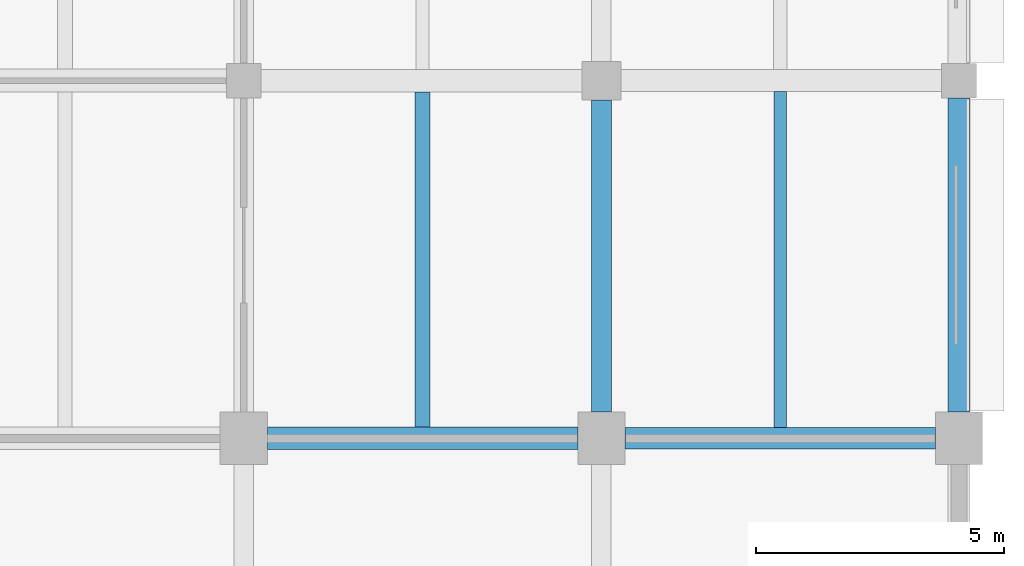
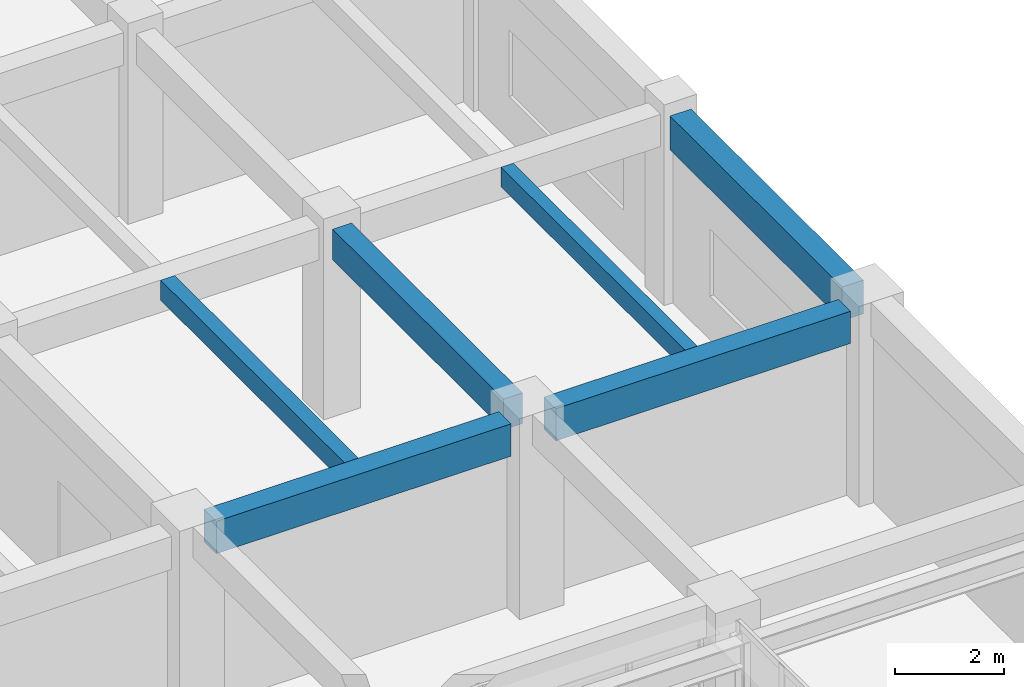
# One storey, part 104 of 171: 6 beams.
"""IFC4 building model written with IfcOpenShell, lengths in metres."""

from ifc_helpers import new_model, si_unit, direction, frame, origin, origin_2d, place, context, subcontext, project, spatial, rectangle, extrude, material, material_profile, profile_set, type_object, element, save


model = new_model("IFC4")

# Units and contexts
model_context = context("Model", 3, precision=1e-05, world=origin(), true_north=direction((0.0, 1.0)))
body_context = subcontext(model_context, "Body", "Model", "MODEL_VIEW")
ifc_project = project(units=[si_unit("LENGTHUNIT", "METRE"), si_unit("AREAUNIT", "SQUARE_METRE"), si_unit("VOLUMEUNIT", "CUBIC_METRE"), si_unit("PLANEANGLEUNIT", "RADIAN"), si_unit("MASSUNIT", "GRAM", prefix="KILO")], contexts=[model_context])

# Site, building, storey
site_placement = place(None, origin())
site = spatial("IfcSite", under=ifc_project, at=site_placement, CompositionType="ELEMENT")
building_placement = place(site_placement, origin())
building = spatial("IfcBuilding", under=site, at=building_placement, Name="Thalmaran Polytechnic", CompositionType="ELEMENT")
storey_placement = place(building_placement, frame((0.0, 0.0, 5.39990234375)))
storey = spatial("IfcBuildingStorey", under=building, at=storey_placement, Name="L01", CompositionType="ELEMENT", Elevation=5.39990234375)

# Beams
ifc_material = material(Name="Concrete C40/50", Category="concrete")
ifc_material_profile_1 = material_profile(ifc_material, rectangle(XDim=0.449951171875, YDim=0.72509765625, at=origin_2d()), Name="RC 450x725")
ifc_profile_set_1 = profile_set([ifc_material_profile_1], Name="Concrete C40/50")
beam_type_1 = type_object("IfcBeamType", Name="BM-RC04", PredefinedType="BEAM", material=ifc_profile_set_1)
beam_1_placement = place(storey_placement, frame((158.875, 57.60009765625, 3.84765625), z_axis=(1.0, 0.0, 0.0), x_axis=(0.0, 1.0, 0.0)))
element("IfcBeam", 1, at=beam_1_placement, inside=storey, type_object=beam_type_1, Name="Grid Beam B04 L01 X(22,8)", PredefinedType="BEAM", context=body_context, shape_type="SweptSolid", body=[
    extrude(rectangle(XDim=0.449951171875, YDim=0.72509765625, at=origin_2d()), origin(), (0.0, 0.0, 1.0), 6.25),
])
ifc_material_profile_2 = material_profile(ifc_material, rectangle(XDim=0.300048828125, YDim=0.449951171875, at=origin_2d()), Name="RC 300x450")
ifc_profile_set_2 = profile_set([ifc_material_profile_2], Name="Concrete C40/50")
beam_type_2 = type_object("IfcBeamType", Name="BM-RC12", PredefinedType="JOIST", material=ifc_profile_set_2)
beam_2_placement = place(storey_placement, frame((162.0, 57.824951171875, 3.985107421875), z_axis=(0.0, 1.0, 0.0), x_axis=(-1.0, 0.0, 0.0)))
element("IfcBeam", 2, at=beam_2_placement, inside=storey, type_object=beam_type_2, Name="Secondary Floor Rib RB02 L01 (22,8)", PredefinedType="JOIST", context=body_context, shape_type="SweptSolid", body=[
    extrude(rectangle(XDim=0.300048828125, YDim=0.449951171875, at=origin_2d()), origin(), (0.0, 0.0, 1.0), 6.75),
])
ifc_material_profile_3 = material_profile(ifc_material, rectangle(XDim=0.449951171875, YDim=0.7548828125, at=origin_2d()), Name="RC 450x755")
ifc_profile_set_3 = profile_set([ifc_material_profile_3], Name="Concrete C40/50")
beam_type_3 = type_object("IfcBeamType", Name="BM-SP02", PredefinedType="SPANDREL", material=ifc_profile_set_3)
beam_3_placement = place(storey_placement, frame((172.800048828125, 58.125, 3.83251953125), z_axis=(0.0, 1.0, 0.0), x_axis=(-1.0, 0.0, 0.0)))
element("IfcBeam", 3, at=beam_3_placement, inside=storey, type_object=beam_type_3, Name="Grid Beam SP02 L01 Y(24,8)", PredefinedType="SPANDREL", context=body_context, shape_type="SweptSolid", body=[
    extrude(rectangle(XDim=0.449951171875, YDim=0.7548828125, at=origin_2d()), origin(), (0.0, 0.0, 1.0), 6.324951171875),
])
ifc_material_profile_4 = material_profile(ifc_material, rectangle(XDim=0.43994140625, YDim=0.719970703125, at=origin_2d()), Name="RC 440x720")
ifc_profile_set_4 = profile_set([ifc_material_profile_4], Name="Concrete C40/50")
beam_type_4 = type_object("IfcBeamType", Name="BM-ZB03", PredefinedType="BEAM", material=ifc_profile_set_4)
beam_4_placement = place(storey_placement, frame((166.074951171875, 57.60009765625, 3.85009765625), z_axis=(1.0, 0.0, 0.0), x_axis=(0.0, 1.0, 0.0)))
element("IfcBeam", 4, at=beam_4_placement, inside=storey, type_object=beam_type_4, Name="Grid Beam ZB03 L01 X(23,8)", PredefinedType="BEAM", context=body_context, shape_type="SweptSolid", body=[
    extrude(rectangle(XDim=0.43994140625, YDim=0.719970703125, at=origin_2d()), origin(), (0.0, 0.0, 1.0), 6.25),
])
ifc_material_profile_5 = material_profile(ifc_material, rectangle(XDim=0.39990234375, YDim=0.68505859375, at=origin_2d()), Name="RC 400x685")
ifc_profile_set_5 = profile_set([ifc_material_profile_5], Name="Concrete C40/50")
beam_type_5 = type_object("IfcBeamType", Name="BM-ZB07", PredefinedType="BEAM", material=ifc_profile_set_5)
beam_5_placement = place(storey_placement, frame((165.60009765625, 58.125, 3.86767578125), z_axis=(0.0, 1.0, 0.0), x_axis=(-1.0, 0.0, 0.0)))
element("IfcBeam", 5, at=beam_5_placement, inside=storey, type_object=beam_type_5, Name="Grid Beam ZB07 L01 Y(23,8)", PredefinedType="BEAM", context=body_context, shape_type="SweptSolid", body=[
    extrude(rectangle(XDim=0.39990234375, YDim=0.68505859375, at=origin_2d()), origin(), (0.0, 0.0, 1.0), 6.284912109375),
])
ifc_material_profile_6 = material_profile(ifc_material, rectangle(XDim=0.260009765625, YDim=0.43994140625, at=origin_2d()), Name="RC 260x440")
ifc_profile_set_6 = profile_set([ifc_material_profile_6], Name="Concrete C40/50")
beam_type_6 = type_object("IfcBeamType", Name="BM-ZJ02", PredefinedType="JOIST", material=ifc_profile_set_6)
beam_6_placement = place(storey_placement, frame((169.199951171875, 57.820068359375, 3.989990234375), z_axis=(0.0, 1.0, 0.0), x_axis=(-1.0, 0.0, 0.0)))
element("IfcBeam", 6, at=beam_6_placement, inside=storey, type_object=beam_type_6, Name="Secondary Floor Rib ZJ02 L01 (23,8)", PredefinedType="JOIST", context=body_context, shape_type="SweptSolid", body=[
    extrude(rectangle(XDim=0.260009765625, YDim=0.43994140625, at=origin_2d()), origin(), (0.0, 0.0, 1.0), 6.760009765625),
])

save(model, "model.ifc")
